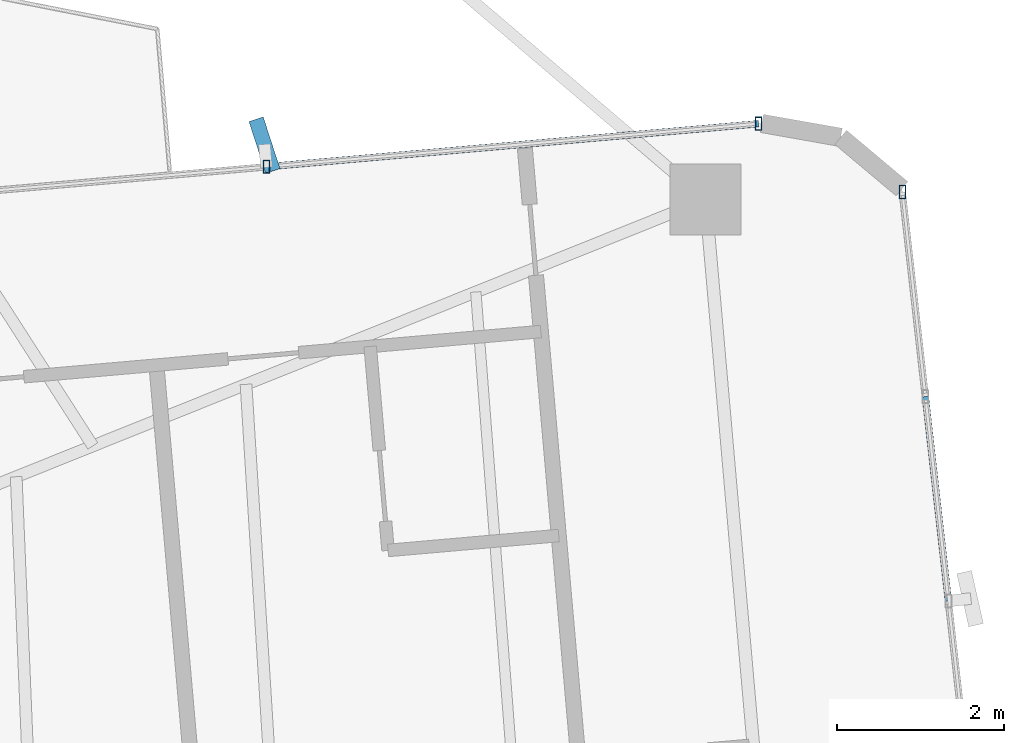
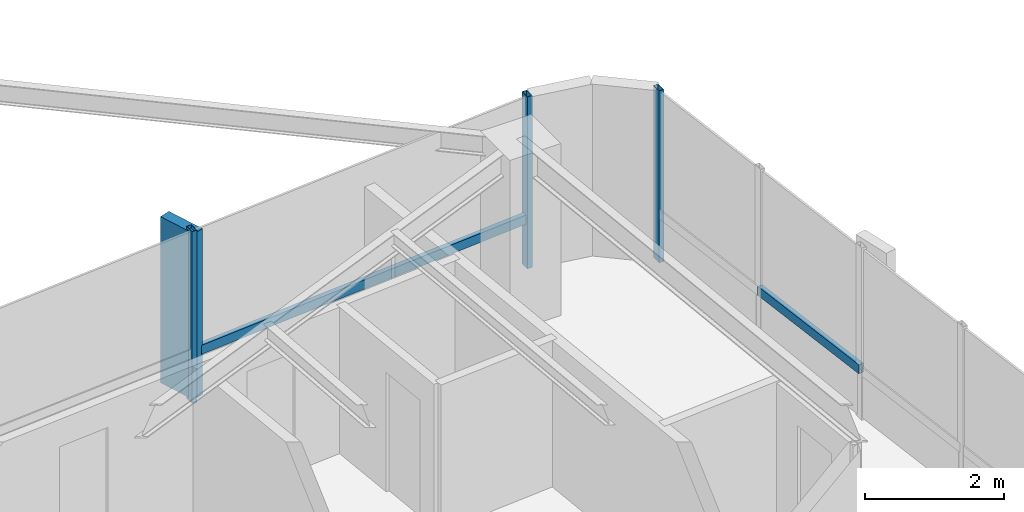
# One storey, part 15 of 24: 6 members, 2 elements without a shape of their own.
"""IFC4 building model written with IfcOpenShell, lengths in metres."""

from ifc_helpers import new_model, si_unit, direction, frame, origin, origin_2d, place, context, subcontext, project, spatial, rectangle, hollow_rectangle, extrude, source, transform, mapped, material, material_profile, profile_set, type_object, element, aggregate, save


model = new_model("IFC4")

# Units and contexts
model_context = context("Model", 3, precision=1e-05, world=origin(), true_north=direction((0.0, 1.0)))
body_context = subcontext(model_context, "Body", "Model", "MODEL_VIEW")
ifc_project = project(units=[si_unit("LENGTHUNIT", "METRE"), si_unit("AREAUNIT", "SQUARE_METRE"), si_unit("VOLUMEUNIT", "CUBIC_METRE"), si_unit("PLANEANGLEUNIT", "RADIAN"), si_unit("MASSUNIT", "GRAM", prefix="KILO")], contexts=[model_context])

# Site, building, storey
site_placement = place(None, origin())
site = spatial("IfcSite", under=ifc_project, at=site_placement, CompositionType="ELEMENT")
building_placement = place(site_placement, origin())
building = spatial("IfcBuilding", under=site, at=building_placement, Name="Sahyath Konkavel Grand Hotel", CompositionType="ELEMENT")
storey_placement = place(building_placement, frame((0.0, 0.0, 198.64990234375)))
storey = spatial("IfcBuildingStorey", under=building, at=storey_placement, Name="L55", CompositionType="ELEMENT", Elevation=198.64990234375)

# Curtain wall, member
ifc_material_1 = material(Name="Anodised Bronze Aluminium & Low-E Glazing", Category="aluminium")
curtain_wall_type = type_object("IfcCurtainWallType", Name="CW-ZONE3", PredefinedType="NOTDEFINED", material=ifc_material_1)
curtain_wall_1_placement = place(storey_placement, origin())
curtain_wall_1 = element("IfcCurtainWall", 1, at=curtain_wall_1_placement, inside=storey, type_object=curtain_wall_type, Name="L55 Unitised Curtain Wall F4", PredefinedType="NOTDEFINED")
ifc_material_2 = material(Name="Anodised Bronze Aluminium", Category="aluminium")
ifc_material_profile_1 = material_profile(ifc_material_2, hollow_rectangle(XDim=0.080078125, YDim=0.159912109375, WallThickness=0.006103515625, at=origin_2d()), Name="RHS 160x80x6")
ifc_profile_set_1 = profile_set([ifc_material_profile_1], Name="Anodised Bronze Aluminium")
member_type_1 = type_object("IfcMemberType", Name="CW-MUL-160", PredefinedType="MULLION", material=ifc_profile_set_1)
shared_shape_1 = source(origin(), body_context, "Body", "SweptSolid", [
    extrude(hollow_rectangle(XDim=0.080078125, YDim=0.159912109375, WallThickness=0.006103515625, at=origin_2d()), origin(), (0.0, 0.0, 1.0), 3.030029296875),
])
member_1_placement = place(storey_placement, frame((19.308349609375, 7.094970703125, 0.0), z_axis=(0.0, 0.0, 1.0), x_axis=(1.0, 0.0, 0.0)))
member_1 = element("IfcMember", 2, at=member_1_placement, type_object=member_type_1, Name="L55 Curtain Wall Mullion F4-4", PredefinedType="MULLION", context=body_context, shape_type="MappedRepresentation", body=[
    mapped(shared_shape_1, transform((0.0, 0.0, 0.0), scale=1.0)),
])

# Curtain wall, members
curtain_wall_2_placement = place(storey_placement, origin())
curtain_wall_2 = element("IfcCurtainWall", 3, at=curtain_wall_2_placement, inside=storey, type_object=curtain_wall_type, Name="L55 Unitised Curtain Wall F7", PredefinedType="NOTDEFINED")
member_2_placement = place(storey_placement, frame((17.58740234375, 7.912841796875, 0.0), z_axis=(0.0, 0.0, 1.0), x_axis=(1.0, 0.0, 0.0)))
member_2 = element("IfcMember", 4, at=member_2_placement, type_object=member_type_1, Name="L55 Curtain Wall Mullion F7-0", PredefinedType="MULLION", context=body_context, shape_type="MappedRepresentation", body=[
    mapped(shared_shape_1, transform((0.0, 0.0, 0.0), scale=1.0)),
])
member_3_placement = place(storey_placement, frame((11.69970703125, 7.39794921875, 0.0), z_axis=(0.0, 0.0, 1.0), x_axis=(1.0, 0.0, 0.0)))
member_3 = element("IfcMember", 5, at=member_3_placement, type_object=member_type_1, Name="L55 Curtain Wall Mullion F7-1", PredefinedType="MULLION", context=body_context, shape_type="MappedRepresentation", body=[
    mapped(shared_shape_1, transform((0.0, 0.0, 0.0), scale=1.0)),
])
ifc_material_3 = material(Name="Warm Buff Sandstone Cladding on Concrete C50/60", Category="masonry")
ifc_material_profile_2 = material_profile(ifc_material_3, rectangle(XDim=0.179931640625, YDim=0.64990234375, at=origin_2d()), Name="FIN 180x650")
ifc_profile_set_2 = profile_set([ifc_material_profile_2], Name="Warm Buff Sandstone Cladding on Concrete C50/60")
member_type_2 = type_object("IfcMemberType", Name="FIN-SANDSTONE-650", PredefinedType="MULLION", material=ifc_profile_set_2)
shared_shape_2 = source(origin(), body_context, "Body", "SweptSolid", [
    extrude(rectangle(XDim=0.179931640625, YDim=0.64990234375, at=origin_2d()), origin(), (0.0, 0.0, 1.0), 2.929931640625),
])
member_4_placement = place(storey_placement, frame((11.677001953125, 7.656982421875, 0.050048828125), z_axis=(0.0, 0.0, 1.0), x_axis=(0.951056516295, 0.309016994375, 0.0)))
member_4 = element("IfcMember", 6, at=member_4_placement, type_object=member_type_2, Name="L55 Sandstone Vertical Solar Fin FIN F7-1", PredefinedType="MULLION", context=body_context, shape_type="MappedRepresentation", body=[
    mapped(shared_shape_2, transform((0.0, 0.0, 0.0), scale=1.0)),
])

# Member
ifc_material_profile_3 = material_profile(ifc_material_2, hollow_rectangle(XDim=0.080078125, YDim=0.159912109375, WallThickness=0.006103515625, at=origin_2d()), Name="RHS 160x80x6")
ifc_profile_set_3 = profile_set([ifc_material_profile_3], Name="Anodised Bronze Aluminium")
member_type_3 = type_object("IfcMemberType", Name="CW-TRN-160", PredefinedType="USERDEFINED", material=ifc_profile_set_3)
shared_shape_3 = source(origin(), body_context, "Body", "SweptSolid", [
    extrude(hollow_rectangle(XDim=0.080078125, YDim=0.159912109375, WallThickness=0.006103515625, at=origin_2d()), origin(), (0.0, 0.0, 1.0), 2.461669921875),
])
member_5_placement = place(storey_placement, frame((19.859619140625, 2.201904296875, 0.85009765625), z_axis=(-0.111966154832, 0.993712020744, 0.0), x_axis=(-0.993712020744, -0.111966154832, 0.0)))
member_5 = element("IfcMember", 7, at=member_5_placement, type_object=member_type_3, Name="L55 Curtain Wall Transom F4-2-spandrel", ObjectType="TRANSOM", PredefinedType="USERDEFINED", context=body_context, shape_type="MappedRepresentation", body=[
    mapped(shared_shape_3, transform((0.0, 0.0, 0.0), scale=1.0)),
])

aggregate(curtain_wall_1, [member_1, member_5])

shared_shape_4 = source(origin(), body_context, "Body", "SweptSolid", [
    extrude(hollow_rectangle(XDim=0.080078125, YDim=0.159912109375, WallThickness=0.006103515625, at=origin_2d()), origin(), (0.0, 0.0, 1.0), 5.91015625),
])
member_6_placement = place(storey_placement, frame((17.58740234375, 7.912841796875, 0.85009765625), z_axis=(-0.996197841474, -0.087119806256, 0.0), x_axis=(0.087119806256, -0.996197841474, 0.0)))
member_6 = element("IfcMember", 8, at=member_6_placement, type_object=member_type_3, Name="L55 Curtain Wall Transom F7-0-spandrel", ObjectType="TRANSOM", PredefinedType="USERDEFINED", context=body_context, shape_type="MappedRepresentation", body=[
    mapped(shared_shape_4, transform((0.0, 0.0, 0.0), scale=1.0)),
])

aggregate(curtain_wall_2, [member_2, member_3, member_4, member_6])

save(model, "model.ifc")
